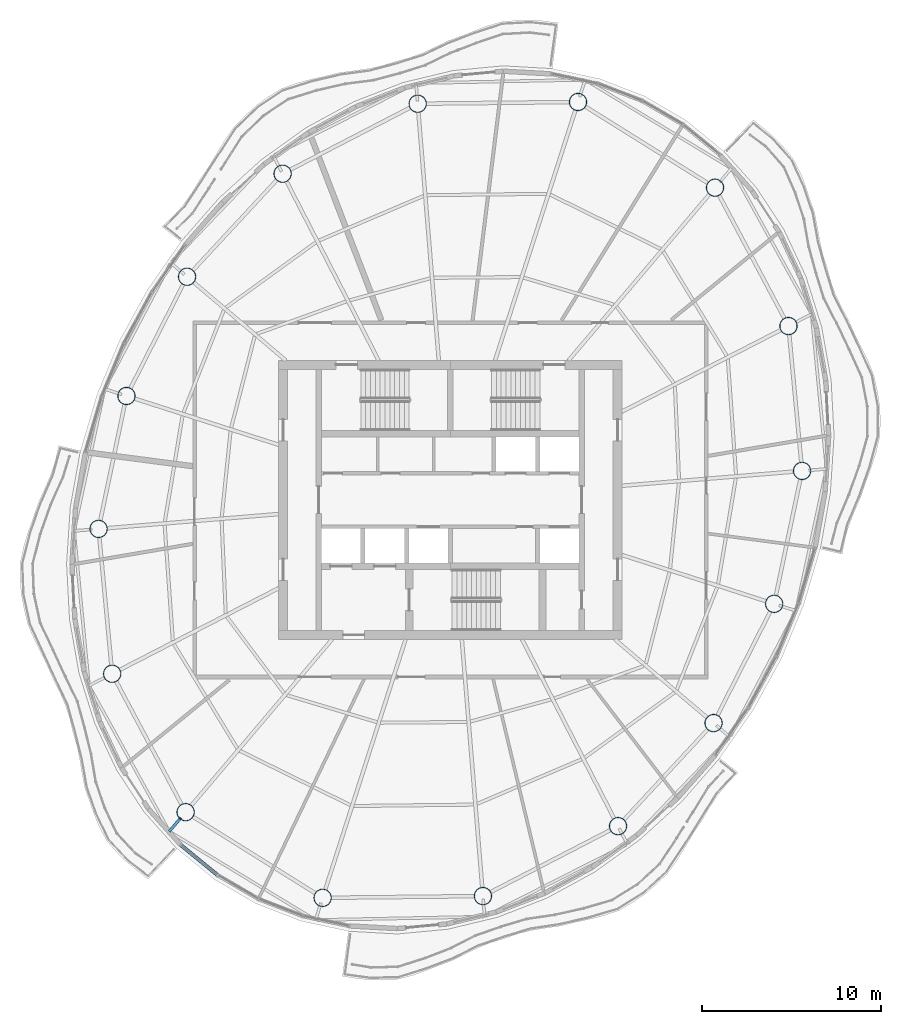
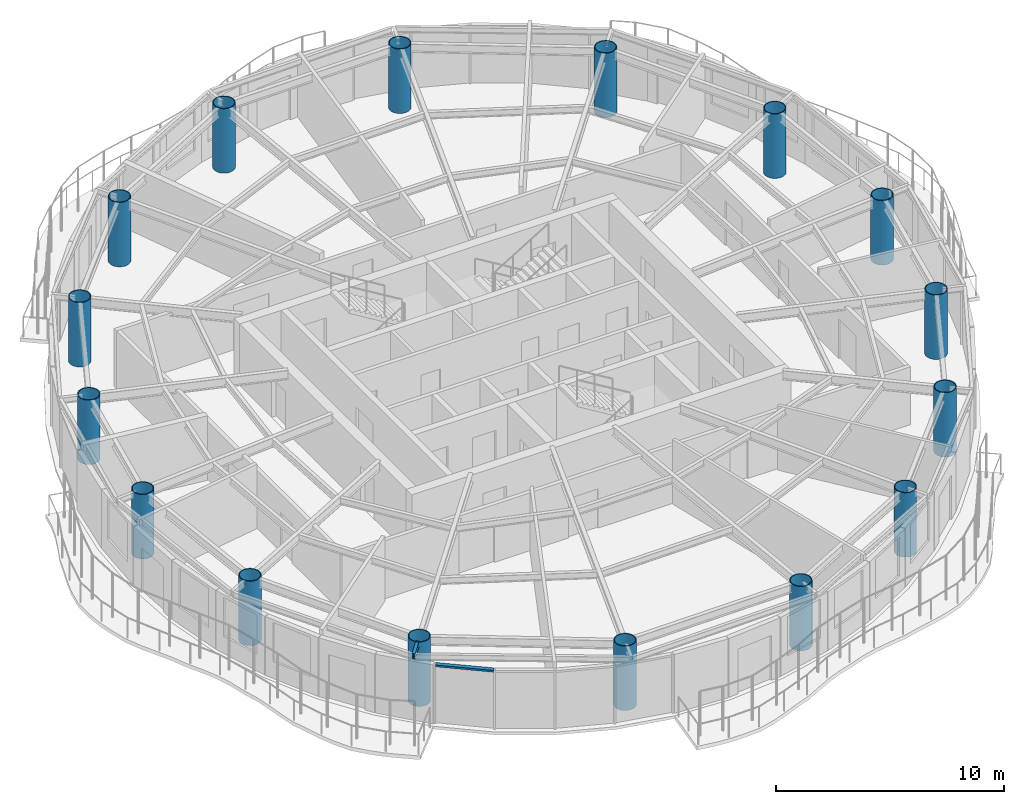
# One storey, part 1 of 13: 16 columns, 1 beam, 1 member, 1 element without a shape of its own.
"""IFC4 building model written with IfcOpenShell, lengths in metres."""

from ifc_helpers import new_model, si_unit, direction, frame, origin, origin_2d, place, context, subcontext, project, spatial, rectangle, hollow_circle, i_section, extrude, material, material_profile, profile_set, type_object, element, aggregate, save


model = new_model("IFC4")

# Units and contexts
model_context = context("Model", 3, precision=1e-05, world=origin(), true_north=direction((0.0, 1.0)))
body_context = subcontext(model_context, "Body", "Model", "MODEL_VIEW")
ifc_project = project(units=[si_unit("LENGTHUNIT", "METRE"), si_unit("AREAUNIT", "SQUARE_METRE"), si_unit("VOLUMEUNIT", "CUBIC_METRE"), si_unit("PLANEANGLEUNIT", "RADIAN"), si_unit("MASSUNIT", "GRAM", prefix="KILO")], contexts=[model_context])

# Site, building, storey
site_placement = place(None, origin())
site = spatial("IfcSite", under=ifc_project, at=site_placement, CompositionType="ELEMENT")
building_placement = place(site_placement, origin())
building = spatial("IfcBuilding", under=site, at=building_placement, Name="Vermilion Reach Broadcast Tower", CompositionType="ELEMENT")
storey_placement = place(building_placement, frame((0.0, 0.0, 290.10009765625)))
storey = spatial("IfcBuildingStorey", under=building, at=storey_placement, Name="L72", CompositionType="ELEMENT", Elevation=290.10009765625)

# Columns
ifc_material_1 = material(Name="Concrete C60 infill in steel S460NL tube", Category="concrete")
ifc_material_profile_1 = material_profile(ifc_material_1, hollow_circle(Radius=0.5, WallThickness=0.0400390625, at=origin_2d()), Name="Concrete C60 infill in steel S460NL tube CFT 1000x40")
ifc_profile_set_1 = profile_set([ifc_material_profile_1], Name="Concrete C60 infill in steel S460NL tube")
column_type = type_object("IfcColumnType", Name="MC5 CFT 1000x40", PredefinedType="COLUMN", material=ifc_profile_set_1)
for number, where, z_axis, x_axis, name in (
    (1, (1.138427734375, 22.2470703125, 0.0), (0.0, 0.0, 1.0), (1.0, 0.0, 0.0), "Mega-column MC5-01"),
    (2, (-7.824951171875, 22.1494140625, 0.0), (0.0, 0.0, 1.0), (1.0, 0.0, 0.0), "Mega-column MC5-02"),
    (3, (-15.376953125, 18.23779296875, 0.0), (0.0, 0.0, 1.0), (1.0, 0.0, 0.0), "Mega-column MC5-03"),
    (4, (-20.717529296875, 12.476806640625, 0.0), (0.0, 0.0, 1.0), (1.0, 0.0, 0.0), "Mega-column MC5-04"),
    (5, (-24.10595703125, 5.809814453125, 0.0), (0.0, 0.0, 1.0), (1.0, 0.0, 0.0), "Mega-column MC5-05"),
    (6, (-25.665771484375, -1.620361328125, 0.0), (0.0, 0.0, 1.0), (1.0, 0.0, 0.0), "Mega-column MC5-06"),
    (7, (-24.905517578125, -9.72021484375, 0.0), (0.0, 0.0, 1.0), (1.0, 0.0, 0.0), "Mega-column MC5-07"),
    (8, (-20.799560546875, -17.457275390625, 0.0), (0.0, 0.0, 1.0), (1.0, 0.0, 0.0), "Mega-column MC5-08"),
    (9, (-13.138427734375, -22.2470703125, 0.0), (0.0, 0.0, 1.0), (1.0, 0.0, 0.0), "Mega-column MC5-09"),
    (10, (-4.175048828125, -22.1494140625, 0.0), (0.0, 0.0, 1.0), (1.0, 0.0, 0.0), "Mega-column MC5-10"),
    (11, (3.376953125, -18.23779296875, 0.0), (0.0, 0.0, 1.0), (1.0, 0.0, 0.0), "Mega-column MC5-11"),
    (12, (8.717529296875, -12.476806640625, 0.0), (0.0, 0.0, 1.0), (1.0, 0.0, 0.0), "Mega-column MC5-12"),
    (13, (12.10595703125, -5.809814453125, 0.0), (0.0, 0.0, 1.0), (1.0, 0.0, 0.0), "Mega-column MC5-13"),
    (14, (13.665771484375, 1.620361328125, 0.0), (0.0, 0.0, 1.0), (1.0, 0.0, 0.0), "Mega-column MC5-14"),
    (15, (12.905517578125, 9.72021484375, 0.0), (0.0, 0.0, 1.0), (1.0, 0.0, 0.0), "Mega-column MC5-15"),
    (16, (8.799560546875, 17.457275390625, 0.0), (0.0, 0.0, 1.0), (1.0, 0.0, 0.0), "Mega-column MC5-16"),
):
    element("IfcColumn", number, at=place(storey_placement, frame(where, z_axis=z_axis, x_axis=x_axis)), inside=storey, type_object=column_type, Name=name, PredefinedType="COLUMN", context=body_context, shape_type="SweptSolid", body=[
        extrude(hollow_circle(Radius=0.5, WallThickness=0.0400390625, at=origin_2d()), origin(), (0.0, 0.0, 1.0), 3.449951171875),
    ])

# Beam
ifc_material_2 = material(Name="Steel S355J2", Category="steel")
ifc_material_profile_2 = material_profile(ifc_material_2, i_section(OverallWidth=0.14990234375, OverallDepth=0.300048828125, WebThickness=0.006591796875, FlangeThickness=0.009033203125, at=origin_2d()), Name="S355J2 HN 300x150x6.5x9")
ifc_profile_set_2 = profile_set([ifc_material_profile_2], Name="Steel S355J2")
beam_type = type_object("IfcBeamType", Name="GS5 HN 300x150x6.5x9", PredefinedType="BEAM", material=ifc_profile_set_2)
beam_placement = place(storey_placement, frame((-21.066650390625, -17.772216796875, 3.2998046875), z_axis=(-0.646598772701, -0.762830274138, 0.0), x_axis=(0.762830274138, -0.646598772701, 0.0)))
element("IfcBeam", 17, at=beam_placement, inside=storey, type_object=beam_type, Name="Cantilever stub GS5-08", PredefinedType="BEAM", context=body_context, shape_type="SweptSolid", body=[
    extrude(i_section(OverallWidth=0.14990234375, OverallDepth=0.300048828125, WebThickness=0.006591796875, FlangeThickness=0.009033203125, at=origin_2d()), origin(), (0.0, 0.0, 1.0), 0.999755859375),
])

# Curtain wall, member
ifc_material_3 = material(Name="Low-e laminated clear glass in aluminium frame", Category="aluminium")
curtain_wall_type = type_object("IfcCurtainWallType", Name="Slot curtain wall", PredefinedType="NOTDEFINED", material=ifc_material_3)
curtain_wall_placement = place(storey_placement, origin())
curtain_wall = element("IfcCurtainWall", 18, at=curtain_wall_placement, inside=storey, type_object=curtain_wall_type, Name="Slot curtain wall L72 22", PredefinedType="NOTDEFINED")
ifc_material_4 = material(Name="Anodised aluminium", Category="aluminium")
ifc_material_profile_3 = material_profile(ifc_material_4, rectangle(XDim=0.199951171875, YDim=0.10009765625, at=origin_2d()), Name="Slot transom 200 x 100")
ifc_profile_set_3 = profile_set([ifc_material_profile_3], Name="Anodised aluminium")
member_type = type_object("IfcMemberType", Name="Slot transom 200 x 100", PredefinedType="USERDEFINED", material=ifc_profile_set_3)
member_placement = place(storey_placement, frame((-21.03857421875, -19.317626953125, 3.099853515625), z_axis=(0.773607747291, -0.633664779936, 0.0), x_axis=(0.633664779936, 0.773607747291, 0.0)))
member = element("IfcMember", 19, at=member_placement, type_object=member_type, Name="Slot transom L72 22.1", ObjectType="TRANSOM", PredefinedType="USERDEFINED", context=body_context, shape_type="SweptSolid", body=[
    extrude(rectangle(XDim=0.199951171875, YDim=0.10009765625, at=origin_2d()), origin(), (0.0, 0.0, 1.0), 2.583740234375),
])
aggregate(curtain_wall, [member])

save(model, "model.ifc")
